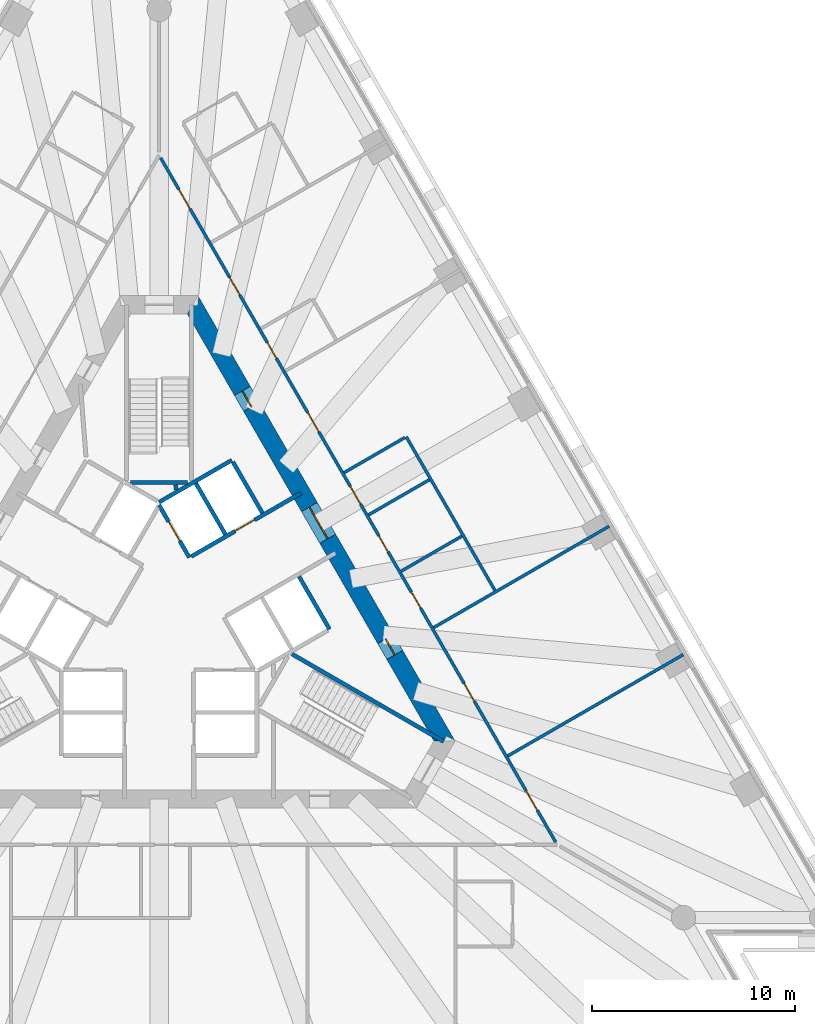
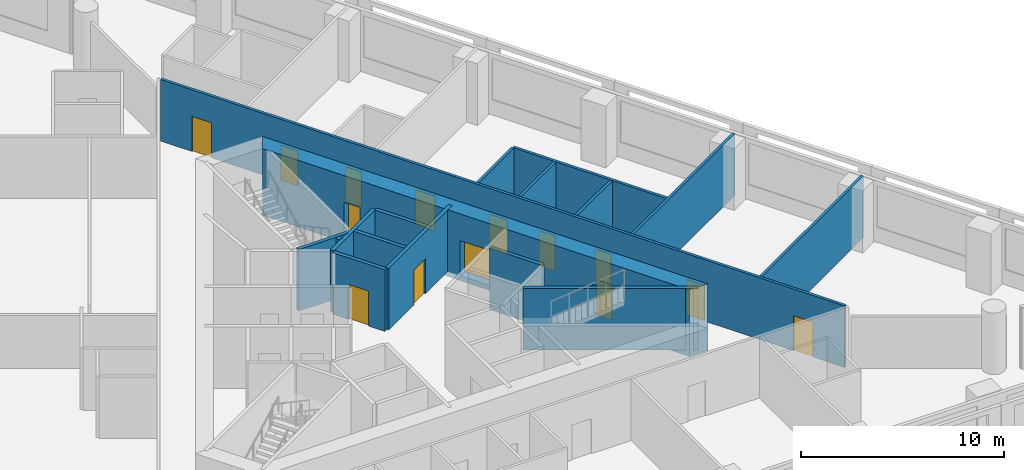
# One storey, part 6 of 11: 17 walls, 14 doors, 14 openings.
"""IFC4 building model written with IfcOpenShell, lengths in metres."""

from ifc_helpers import new_model, si_unit, direction, frame, frame_2d, origin, place, context, subcontext, project, spatial, polyline, rectangle, outline, extrude, material, layer, layer_set, type_object, element, fill, save


model = new_model("IFC4")

# Units and contexts
model_context = context("Model", 3, precision=1e-05, world=origin(), true_north=direction((0.0, 1.0)))
body_context = subcontext(model_context, "Body", "Model", "MODEL_VIEW")
ifc_project = project(units=[si_unit("LENGTHUNIT", "METRE"), si_unit("AREAUNIT", "SQUARE_METRE"), si_unit("VOLUMEUNIT", "CUBIC_METRE"), si_unit("PLANEANGLEUNIT", "RADIAN"), si_unit("MASSUNIT", "GRAM", prefix="KILO")], contexts=[model_context])

# Site, building, storey
site_placement = place(None, origin())
site = spatial("IfcSite", under=ifc_project, at=site_placement, CompositionType="ELEMENT")
building_placement = place(site_placement, origin())
building = spatial("IfcBuilding", under=site, at=building_placement, Name="Triada Interchange Tower", CompositionType="ELEMENT")
storey_placement = place(building_placement, frame((0.0, 0.0, 71.300048828125)))
storey = spatial("IfcBuildingStorey", under=building, at=storey_placement, Name="L15", CompositionType="ELEMENT", Elevation=71.300048828125)

# Wall
ifc_material_1 = material(Name="Concrete C30/37", Category="concrete")
ifc_layer_1 = layer(ifc_material_1, 0.199951171875)
ifc_layer_set_1 = layer_set([ifc_layer_1], Name="CORE WALL 200 EI 120")
wall_type_1 = type_object("IfcWallType", Name="CORE WALL 200 EI 120", PredefinedType="SOLIDWALL", material=ifc_layer_set_1)
wall_1_placement = place(storey_placement, frame((-0.001953125, 5.541015625, 0.0), z_axis=(0.0, 0.0, 1.0), x_axis=(0.86600155993, 0.500041296494, 0.0)))
element("IfcWall", 1, at=wall_1_placement, inside=storey, type_object=wall_type_1, Name="Wall L15 62", PredefinedType="SOLIDWALL", context=body_context, shape_type="SweptSolid", body=[
    extrude(rectangle(XDim=4.131591796875, YDim=0.199951171875, at=frame_2d((2.06591796875, 0.0))), origin(), (0.0, 0.0, 1.0), 3.699951171875),
])

# Wall, opening, door
wall_2_placement = place(storey_placement, frame((0.0, 5.39990234375, 0.0), z_axis=(0.0, 0.0, 1.0), x_axis=(0.500103862429, -0.865965430478, 0.0)))
wall_2 = element("IfcWall", 2, at=wall_2_placement, inside=storey, type_object=wall_type_1, Name="Wall L15 63", PredefinedType="SOLIDWALL", context=body_context, shape_type="SweptSolid", body=[
    extrude(rectangle(XDim=2.973388671875, YDim=0.199951171875, at=frame_2d((1.48681640625, 0.0))), origin(), (0.0, 0.0, 1.0), 3.699951171875),
])
opening_1_placement = place(wall_2_placement, frame((0.93701171875, 0.0, 0.0)))
opening_1 = element("IfcOpeningElement", 3, at=opening_1_placement, cuts=wall_2, Name="Opening LD-LR5", PredefinedType="OPENING", context=body_context, shape_type="SweptSolid", body=[
    extrude(rectangle(XDim=1.10009765625, YDim=2.10009765625, at=frame_2d((0.550048828125, 1.050048828125))), frame((0.0, 0.10986328125, 0.0), z_axis=(0.0, -1.0, 0.0), x_axis=(1.0, 0.0, 0.0)), (0.0, 0.0, 1.0), 0.219970703125),
])
ifc_material_2 = material(Name="Steel S235 door leaf", Category="steel")
door_type_1 = type_object("IfcDoorType", Name="LIFT LANDING DOOR 1100 EI 120", OperationType="SLIDING_TO_LEFT", PredefinedType="DOOR", material=ifc_material_2)
door_1_placement = place(opening_1_placement, origin())
door_1 = element("IfcDoor", 4, at=door_1_placement, inside=storey, type_object=door_type_1, Name="LR5 landing door L15", OperationType="SLIDING_TO_LEFT", OverallHeight=2.10009765625, OverallWidth=1.10009765625, PredefinedType="DOOR", context=body_context, shape_type="SweptSolid", body=[
    extrude(rectangle(XDim=1.10009765625, YDim=2.10009765625, at=frame_2d((0.550048828125, 1.050048828125))), frame((0.0, 0.02490234375, 0.0), z_axis=(0.0, -1.0, 0.0), x_axis=(1.0, 0.0, 0.0)), (0.0, 0.0, 1.0), 0.050048828125),
])
fill(opening_1, door_1)

wall_3_placement = place(storey_placement, frame((1.577880859375, 2.8740234375, 0.0), z_axis=(0.0, 0.0, 1.0), x_axis=(0.866031483044, 0.499989470266, 0.0)))
wall_3 = element("IfcWall", 5, at=wall_3_placement, inside=storey, type_object=wall_type_1, Name="Wall L15 65", PredefinedType="SOLIDWALL", context=body_context, shape_type="SweptSolid", body=[
    extrude(rectangle(XDim=6.226318359375, YDim=0.199951171875, at=frame_2d((3.11328125, 0.0))), origin(), (0.0, 0.0, 1.0), 3.699951171875),
])
opening_2_placement = place(wall_3_placement, frame((2.49609375, 0.0, 0.0)))
opening_2 = element("IfcOpeningElement", 6, at=opening_2_placement, cuts=wall_3, Name="Opening LD-LR6", PredefinedType="OPENING", context=body_context, shape_type="SweptSolid", body=[
    extrude(rectangle(XDim=1.10009765625, YDim=2.10009765625, at=frame_2d((0.550048828125, 1.050048828125))), frame((0.0, 0.10986328125, 0.0), z_axis=(0.0, -1.0, 0.0), x_axis=(1.0, 0.0, 0.0)), (0.0, 0.0, 1.0), 0.219970703125),
])
door_2_placement = place(opening_2_placement, origin())
door_2 = element("IfcDoor", 7, at=door_2_placement, inside=storey, type_object=door_type_1, Name="LR6 landing door L15", OperationType="SLIDING_TO_LEFT", OverallHeight=2.10009765625, OverallWidth=1.10009765625, PredefinedType="DOOR", context=body_context, shape_type="SweptSolid", body=[
    extrude(rectangle(XDim=1.10009765625, YDim=2.10009765625, at=frame_2d((0.550048828125, 1.050048828125))), frame((0.0, 0.02490234375, 0.0), z_axis=(0.0, -1.0, 0.0), x_axis=(1.0, 0.0, 0.0)), (0.0, 0.0, 1.0), 0.050048828125),
])
fill(opening_2, door_2)

# Walls
wall_4_placement = place(storey_placement, frame((3.6259765625, 7.52001953125, 0.0), z_axis=(0.0, 0.0, 1.0), x_axis=(0.500060147554, -0.865990674793, 0.0)))
element("IfcWall", 8, at=wall_4_placement, inside=storey, type_object=wall_type_1, Name="Wall L15 69", PredefinedType="SOLIDWALL", context=body_context, shape_type="SweptSolid", body=[
    extrude(rectangle(XDim=2.899658203125, YDim=0.199951171875, at=frame_2d((1.44970703125, 0.0))), origin(), (0.0, 0.0, 1.0), 3.699951171875),
])
wall_5_placement = place(storey_placement, frame((6.8759765625, 1.89111328125, 0.0), z_axis=(0.0, 0.0, 1.0), x_axis=(0.499990139034, -0.866031096941, 0.0)))
element("IfcWall", 9, at=wall_5_placement, inside=storey, type_object=wall_type_1, Name="Wall L15 70", PredefinedType="SOLIDWALL", context=body_context, shape_type="SweptSolid", body=[
    extrude(rectangle(XDim=3.0, YDim=0.199951171875, at=frame_2d((1.5, 0.0))), origin(), (0.0, 0.0, 1.0), 3.699951171875),
])
wall_6_placement = place(storey_placement, frame((1.806884765625, 6.469970703125, 0.0), z_axis=(0.0, 0.0, 1.0), x_axis=(0.50012328804, -0.865954211699, 0.0)))
element("IfcWall", 10, at=wall_6_placement, inside=storey, type_object=wall_type_1, Name="Wall L15 71", PredefinedType="SOLIDWALL", context=body_context, shape_type="SweptSolid", body=[
    extrude(rectangle(XDim=2.899658203125, YDim=0.199951171875, at=frame_2d((1.44970703125, 0.0))), origin(), (0.0, 0.0, 1.0), 3.699951171875),
])
ifc_layer_2 = layer(ifc_material_1, 0.199951171875)
ifc_layer_set_2 = layer_set([ifc_layer_2], Name="CORE WALL 200 EI 90")
wall_type_2 = type_object("IfcWallType", Name="CORE WALL 200 EI 90", PredefinedType="SOLIDWALL", material=ifc_layer_set_2)
wall_7_placement = place(storey_placement, frame((0.81103515625, 6.39990234375, 0.0), z_axis=(0.0, 0.0, 1.0), x_axis=(0.076199063602, -0.997092624938, 0.0)))
element("IfcWall", 11, at=wall_7_placement, inside=storey, type_object=wall_type_2, Name="Wall L15 90", PredefinedType="SOLIDWALL", context=body_context, shape_type="SweptSolid", body=[
    extrude(rectangle(XDim=0.2626953125, YDim=0.199951171875, at=frame_2d((0.13134765625, 0.0))), origin(), (0.0, 0.0, 1.0), 3.699951171875),
])
ifc_layer_3 = layer(ifc_material_1, 0.199951171875)
ifc_layer_set_3 = layer_set([ifc_layer_3], Name="CORE WALL 200 REI 240")
wall_type_3 = type_object("IfcWallType", Name="CORE WALL 200 REI 240", PredefinedType="SOLIDWALL", material=ifc_layer_set_3)
wall_8_placement = place(storey_placement, frame((-1.39990234375, 6.5, 0.0), z_axis=(0.0, 0.0, 1.0), x_axis=(1.0, 0.0, 0.0)))
element("IfcWall", 12, at=wall_8_placement, inside=storey, type_object=wall_type_3, Name="Wall L15 97", PredefinedType="SOLIDWALL", context=body_context, shape_type="SweptSolid", body=[
    extrude(rectangle(XDim=2.7998046875, YDim=0.199951171875, at=frame_2d((1.39990234375, 0.0))), origin(), (0.0, 0.0, 1.0), 3.699951171875),
])
wall_9_placement = place(storey_placement, frame((6.529052734375, -1.922119140625, 0.0), z_axis=(0.0, 0.0, 1.0), x_axis=(0.866060059011, -0.499939970583, 0.0)))
element("IfcWall", 13, at=wall_9_placement, inside=storey, type_object=wall_type_3, Name="Wall L15 101", PredefinedType="SOLIDWALL", context=body_context, shape_type="SweptSolid", body=[
    extrude(rectangle(XDim=8.61474609375, YDim=0.199951171875, at=frame_2d((4.307373046875, 0.0))), origin(), (0.0, 0.0, 1.0), 3.699951171875),
])

# Wall, openings, doors
ifc_material_3 = material(Name="Concrete C70/85", Category="concrete")
ifc_layer_4 = layer(ifc_material_3, 0.89990234375)
ifc_layer_set_4 = layer_set([ifc_layer_4], Name="Core wall A 900")
wall_type_4 = type_object("IfcWallType", Name="Core wall A 900", PredefinedType="SHEAR", material=ifc_layer_set_4)
wall_10_placement = place(storey_placement, frame((14.030029296875, -6.199951171875, -0.300048828125), z_axis=(0.0, 0.0, 1.0), x_axis=(-0.500026485275, 0.866010111964, 0.0)))
wall_10 = element("IfcWall", 14, at=wall_10_placement, inside=storey, type_object=wall_type_4, Name="Core wall WA06 L15", PredefinedType="SHEAR", context=body_context, shape_type="SweptSolid", body=[
    extrude(outline(polyline([(-0.260009765625, -0.448974609375), (1.685302734375, -0.448974609375), (3.63037109375, -0.44921875), (5.57568359375, -0.44921875), (7.52099609375, -0.44921875), (9.466064453125, -0.449462890625), (11.411376953125, -0.449462890625), (13.356689453125, -0.449462890625), (15.302001953125, -0.449462890625), (17.2470703125, -0.44970703125), (19.1923828125, -0.44970703125), (21.1376953125, -0.44970703125), (23.082763671875, -0.449951171875), (25.028076171875, -0.449951171875), (24.509033203125, 0.448974609375), (22.643798828125, 0.448974609375), (20.7783203125, 0.44921875), (18.9130859375, 0.44921875), (17.0478515625, 0.44921875), (15.182373046875, 0.449462890625), (13.317138671875, 0.449462890625), (11.451904296875, 0.449462890625), (9.586669921875, 0.449462890625), (7.72119140625, 0.44970703125), (5.85595703125, 0.44970703125), (3.99072265625, 0.44970703125), (2.125244140625, 0.449951171875), (0.260009765625, 0.449951171875), (-0.260009765625, -0.448974609375)])), origin(), (0.0, 0.0, 1.0), 4.0),
])
opening_3_placement = place(wall_10_placement, frame((11.48388671875, 0.0, 0.300048828125)))
opening_3 = element("IfcOpeningElement", 15, at=opening_3_placement, cuts=wall_10, Name="Opening D15-43", PredefinedType="OPENING", context=body_context, shape_type="SweptSolid", body=[
    extrude(rectangle(XDim=1.800048828125, YDim=2.10009765625, at=frame_2d((0.89990234375, 1.050048828125))), frame((0.0, 0.4599609375, 0.0), z_axis=(0.0, -1.0, 0.0), x_axis=(1.0, 0.0, 0.0)), (0.0, 0.0, 1.0), 0.919921875),
])
opening_4_placement = place(wall_10_placement, frame((4.89208984375, 0.0, 0.300048828125)))
opening_4 = element("IfcOpeningElement", 16, at=opening_4_placement, cuts=wall_10, Name="Opening D15-50", PredefinedType="OPENING", context=body_context, shape_type="SweptSolid", body=[
    extrude(rectangle(XDim=0.89990234375, YDim=2.10009765625, at=frame_2d((0.449951171875, 1.050048828125))), frame((0.0, 0.4599609375, 0.0), z_axis=(0.0, -1.0, 0.0), x_axis=(1.0, 0.0, 0.0)), (0.0, 0.0, 1.0), 0.919921875),
])
opening_5_placement = place(wall_10_placement, frame((18.97607421875, 0.0, 0.300048828125)))
opening_5 = element("IfcOpeningElement", 17, at=opening_5_placement, cuts=wall_10, Name="Opening D15-53", PredefinedType="OPENING", context=body_context, shape_type="SweptSolid", body=[
    extrude(rectangle(XDim=0.89990234375, YDim=2.10009765625, at=frame_2d((0.449951171875, 1.050048828125))), frame((0.0, 0.4599609375, 0.0), z_axis=(0.0, -1.0, 0.0), x_axis=(1.0, 0.0, 0.0)), (0.0, 0.0, 1.0), 0.919921875),
])
door_type_2 = type_object("IfcDoorType", Name="LOBBY DOOR 1800 EI2 90-C5S200", OperationType="DOUBLE_DOOR_SINGLE_SWING", PredefinedType="DOOR", material=ifc_material_2)
door_3_placement = place(opening_3_placement, origin())
door_3 = element("IfcDoor", 18, at=door_3_placement, inside=storey, type_object=door_type_2, Name="Door D15-43 L15", OperationType="DOUBLE_DOOR_SINGLE_SWING", OverallHeight=2.10009765625, OverallWidth=1.800048828125, PredefinedType="DOOR", context=body_context, shape_type="SweptSolid", body=[
    extrude(rectangle(XDim=1.800048828125, YDim=2.10009765625, at=frame_2d((0.89990234375, 1.050048828125))), frame((0.0, 0.02490234375, 0.0), z_axis=(0.0, -1.0, 0.0), x_axis=(1.0, 0.0, 0.0)), (0.0, 0.0, 1.0), 0.050048828125),
])
fill(opening_3, door_3)
door_type_3 = type_object("IfcDoorType", Name="SERVICE DOOR 900 EI2 45-C5S200", OperationType="NOTDEFINED", PredefinedType="DOOR", material=ifc_material_2)
door_4_placement = place(opening_4_placement, origin())
door_4 = element("IfcDoor", 19, at=door_4_placement, inside=storey, type_object=door_type_3, Name="Door D15-50 L15", OperationType="SINGLE_SWING_LEFT", OverallHeight=2.10009765625, OverallWidth=0.89990234375, PredefinedType="DOOR", context=body_context, shape_type="SweptSolid", body=[
    extrude(rectangle(XDim=0.89990234375, YDim=2.10009765625, at=frame_2d((0.449951171875, 1.050048828125))), frame((0.0, 0.02490234375, 0.0), z_axis=(0.0, -1.0, 0.0), x_axis=(1.0, 0.0, 0.0)), (0.0, 0.0, 1.0), 0.050048828125),
])
fill(opening_4, door_4)
door_5_placement = place(opening_5_placement, origin())
door_5 = element("IfcDoor", 20, at=door_5_placement, inside=storey, type_object=door_type_3, Name="Door D15-53 L15", OperationType="SINGLE_SWING_LEFT", OverallHeight=2.10009765625, OverallWidth=0.89990234375, PredefinedType="DOOR", context=body_context, shape_type="SweptSolid", body=[
    extrude(rectangle(XDim=0.89990234375, YDim=2.10009765625, at=frame_2d((0.449951171875, 1.050048828125))), frame((0.0, 0.02490234375, 0.0), z_axis=(0.0, -1.0, 0.0), x_axis=(1.0, 0.0, 0.0)), (0.0, 0.0, 1.0), 0.050048828125),
])
fill(opening_5, door_5)

ifc_material_4 = material(Name="Gypsum board partition")
ifc_layer_5 = layer(ifc_material_4, 0.14990234375)
ifc_layer_set_5 = layer_set([ifc_layer_5], Name="PARTITION 150 EI 180")
wall_type_5 = type_object("IfcWallType", Name="PARTITION 150 EI 180", PredefinedType="PARTITIONING", material=ifc_layer_set_5)
wall_11_placement = place(storey_placement, frame((0.074951171875, 22.469970703125, 0.0), z_axis=(0.0, 0.0, 1.0), x_axis=(0.500002280369, -0.866024087209, 0.0)))
wall_11 = element("IfcWall", 21, at=wall_11_placement, inside=storey, type_object=wall_type_5, Name="Wall L15 21", PredefinedType="PARTITIONING", context=body_context, shape_type="SweptSolid", body=[
    extrude(rectangle(XDim=38.843994140625, YDim=0.14990234375, at=frame_2d((19.421875, 0.0))), origin(), (0.0, 0.0, 1.0), 3.699951171875),
])
opening_6_placement = place(wall_11_placement, frame((35.944091796875, 0.0, 0.0)))
opening_6 = element("IfcOpeningElement", 22, at=opening_6_placement, cuts=wall_11, Name="Opening D15-23", PredefinedType="OPENING", context=body_context, shape_type="SweptSolid", body=[
    extrude(rectangle(XDim=1.10009765625, YDim=2.10009765625, at=frame_2d((0.550048828125, 1.050048828125))), frame((0.0, 0.0849609375, 0.0), z_axis=(0.0, -1.0, 0.0), x_axis=(1.0, 0.0, 0.0)), (0.0, 0.0, 1.0), 0.169921875),
])
opening_7_placement = place(wall_11_placement, frame((29.847900390625, 0.0, 0.0)))
opening_7 = element("IfcOpeningElement", 23, at=opening_7_placement, cuts=wall_11, Name="Opening D15-24", PredefinedType="OPENING", context=body_context, shape_type="SweptSolid", body=[
    extrude(rectangle(XDim=1.0, YDim=2.10009765625, at=frame_2d((0.5, 1.050048828125))), frame((0.0, 0.0849609375, 0.0), z_axis=(0.0, -1.0, 0.0), x_axis=(1.0, 0.0, 0.0)), (0.0, 0.0, 1.0), 0.169921875),
])
opening_8_placement = place(wall_11_placement, frame((14.4599609375, 0.0, 0.0)))
opening_8 = element("IfcOpeningElement", 24, at=opening_8_placement, cuts=wall_11, Name="Opening D15-25", PredefinedType="OPENING", context=body_context, shape_type="SweptSolid", body=[
    extrude(rectangle(XDim=1.10009765625, YDim=2.10009765625, at=frame_2d((0.550048828125, 1.050048828125))), frame((0.0, 0.0849609375, 0.0), z_axis=(0.0, -1.0, 0.0), x_axis=(1.0, 0.0, 0.0)), (0.0, 0.0, 1.0), 0.169921875),
])
opening_9_placement = place(wall_11_placement, frame((24.659912109375, 0.0, 0.0)))
opening_9 = element("IfcOpeningElement", 25, at=opening_9_placement, cuts=wall_11, Name="Opening D15-26", PredefinedType="OPENING", context=body_context, shape_type="SweptSolid", body=[
    extrude(rectangle(XDim=0.89990234375, YDim=2.10009765625, at=frame_2d((0.449951171875, 1.050048828125))), frame((0.0, 0.0849609375, 0.0), z_axis=(0.0, -1.0, 0.0), x_axis=(1.0, 0.0, 0.0)), (0.0, 0.0, 1.0), 0.169921875),
])
opening_10_placement = place(wall_11_placement, frame((21.4599609375, 0.0, 0.0)))
opening_10 = element("IfcOpeningElement", 26, at=opening_10_placement, cuts=wall_11, Name="Opening D15-27", PredefinedType="OPENING", context=body_context, shape_type="SweptSolid", body=[
    extrude(rectangle(XDim=0.89990234375, YDim=2.10009765625, at=frame_2d((0.449951171875, 1.050048828125))), frame((0.0, 0.0849609375, 0.0), z_axis=(0.0, -1.0, 0.0), x_axis=(1.0, 0.0, 0.0)), (0.0, 0.0, 1.0), 0.169921875),
])
opening_11_placement = place(wall_11_placement, frame((18.659912109375, 0.0, 0.0)))
opening_11 = element("IfcOpeningElement", 27, at=opening_11_placement, cuts=wall_11, Name="Opening D15-28", PredefinedType="OPENING", context=body_context, shape_type="SweptSolid", body=[
    extrude(rectangle(XDim=1.0, YDim=2.10009765625, at=frame_2d((0.5, 1.050048828125))), frame((0.0, 0.0849609375, 0.0), z_axis=(0.0, -1.0, 0.0), x_axis=(1.0, 0.0, 0.0)), (0.0, 0.0, 1.0), 0.169921875),
])
opening_12_placement = place(wall_11_placement, frame((6.784912109375, 0.0, 0.0)))
opening_12 = element("IfcOpeningElement", 28, at=opening_12_placement, cuts=wall_11, Name="Opening D15-29", PredefinedType="OPENING", context=body_context, shape_type="SweptSolid", body=[
    extrude(rectangle(XDim=1.0, YDim=2.10009765625, at=frame_2d((0.5, 1.050048828125))), frame((0.0, 0.0849609375, 0.0), z_axis=(0.0, -1.0, 0.0), x_axis=(1.0, 0.0, 0.0)), (0.0, 0.0, 1.0), 0.169921875),
])
opening_13_placement = place(wall_11_placement, frame((10.485107421875, 0.0, 0.0)))
opening_13 = element("IfcOpeningElement", 29, at=opening_13_placement, cuts=wall_11, Name="Opening D15-30", PredefinedType="OPENING", context=body_context, shape_type="SweptSolid", body=[
    extrude(rectangle(XDim=0.89990234375, YDim=2.10009765625, at=frame_2d((0.449951171875, 1.050048828125))), frame((0.0, 0.0849609375, 0.0), z_axis=(0.0, -1.0, 0.0), x_axis=(1.0, 0.0, 0.0)), (0.0, 0.0, 1.0), 0.169921875),
])
opening_14_placement = place(wall_11_placement, frame((1.7958984375, 0.0, 0.0)))
opening_14 = element("IfcOpeningElement", 30, at=opening_14_placement, cuts=wall_11, Name="Opening D15-31", PredefinedType="OPENING", context=body_context, shape_type="SweptSolid", body=[
    extrude(rectangle(XDim=1.10009765625, YDim=2.10009765625, at=frame_2d((0.550048828125, 1.050048828125))), frame((0.0, 0.0849609375, 0.0), z_axis=(0.0, -1.0, 0.0), x_axis=(1.0, 0.0, 0.0)), (0.0, 0.0, 1.0), 0.169921875),
])
door_type_4 = type_object("IfcDoorType", Name="ROOM DOOR 1000 EI2 90-C5S200", OperationType="NOTDEFINED", PredefinedType="DOOR", material=ifc_material_2)
door_6_placement = place(opening_7_placement, origin())
door_6 = element("IfcDoor", 31, at=door_6_placement, inside=storey, type_object=door_type_4, Name="Door D15-24 L15", OperationType="SINGLE_SWING_RIGHT", OverallHeight=2.10009765625, OverallWidth=1.0, PredefinedType="DOOR", context=body_context, shape_type="SweptSolid", body=[
    extrude(rectangle(XDim=1.0, YDim=2.10009765625, at=frame_2d((0.5, 1.050048828125))), frame((0.0, 0.02490234375, 0.0), z_axis=(0.0, -1.0, 0.0), x_axis=(1.0, 0.0, 0.0)), (0.0, 0.0, 1.0), 0.050048828125),
])
fill(opening_7, door_6)
door_7_placement = place(opening_11_placement, origin())
door_7 = element("IfcDoor", 32, at=door_7_placement, inside=storey, type_object=door_type_4, Name="Door D15-28 L15", OperationType="SINGLE_SWING_LEFT", OverallHeight=2.10009765625, OverallWidth=1.0, PredefinedType="DOOR", context=body_context, shape_type="SweptSolid", body=[
    extrude(rectangle(XDim=1.0, YDim=2.10009765625, at=frame_2d((0.5, 1.050048828125))), frame((0.0, 0.02490234375, 0.0), z_axis=(0.0, -1.0, 0.0), x_axis=(1.0, 0.0, 0.0)), (0.0, 0.0, 1.0), 0.050048828125),
])
fill(opening_11, door_7)
door_8_placement = place(opening_12_placement, origin())
door_8 = element("IfcDoor", 33, at=door_8_placement, inside=storey, type_object=door_type_4, Name="Door D15-29 L15", OperationType="SINGLE_SWING_RIGHT", OverallHeight=2.10009765625, OverallWidth=1.0, PredefinedType="DOOR", context=body_context, shape_type="SweptSolid", body=[
    extrude(rectangle(XDim=1.0, YDim=2.10009765625, at=frame_2d((0.5, 1.050048828125))), frame((0.0, 0.02490234375, 0.0), z_axis=(0.0, -1.0, 0.0), x_axis=(1.0, 0.0, 0.0)), (0.0, 0.0, 1.0), 0.050048828125),
])
fill(opening_12, door_8)
door_type_5 = type_object("IfcDoorType", Name="ROOM DOOR 900 EI2 90-C5S200", OperationType="NOTDEFINED", PredefinedType="DOOR", material=ifc_material_2)
door_9_placement = place(opening_9_placement, origin())
door_9 = element("IfcDoor", 34, at=door_9_placement, inside=storey, type_object=door_type_5, Name="Door D15-26 L15", OperationType="SINGLE_SWING_LEFT", OverallHeight=2.10009765625, OverallWidth=0.89990234375, PredefinedType="DOOR", context=body_context, shape_type="SweptSolid", body=[
    extrude(rectangle(XDim=0.89990234375, YDim=2.10009765625, at=frame_2d((0.449951171875, 1.050048828125))), frame((0.0, 0.02490234375, 0.0), z_axis=(0.0, -1.0, 0.0), x_axis=(1.0, 0.0, 0.0)), (0.0, 0.0, 1.0), 0.050048828125),
])
fill(opening_9, door_9)
door_10_placement = place(opening_10_placement, origin())
door_10 = element("IfcDoor", 35, at=door_10_placement, inside=storey, type_object=door_type_5, Name="Door D15-27 L15", OperationType="SINGLE_SWING_LEFT", OverallHeight=2.10009765625, OverallWidth=0.89990234375, PredefinedType="DOOR", context=body_context, shape_type="SweptSolid", body=[
    extrude(rectangle(XDim=0.89990234375, YDim=2.10009765625, at=frame_2d((0.449951171875, 1.050048828125))), frame((0.0, 0.02490234375, 0.0), z_axis=(0.0, -1.0, 0.0), x_axis=(1.0, 0.0, 0.0)), (0.0, 0.0, 1.0), 0.050048828125),
])
fill(opening_10, door_10)
door_type_6 = type_object("IfcDoorType", Name="SERVICE DOOR 900 EI2 90-C5S200", OperationType="NOTDEFINED", PredefinedType="DOOR", material=ifc_material_2)
door_11_placement = place(opening_13_placement, origin())
door_11 = element("IfcDoor", 36, at=door_11_placement, inside=storey, type_object=door_type_6, Name="Door D15-30 L15", OperationType="SINGLE_SWING_LEFT", OverallHeight=2.10009765625, OverallWidth=0.89990234375, PredefinedType="DOOR", context=body_context, shape_type="SweptSolid", body=[
    extrude(rectangle(XDim=0.89990234375, YDim=2.10009765625, at=frame_2d((0.449951171875, 1.050048828125))), frame((0.0, 0.02490234375, 0.0), z_axis=(0.0, -1.0, 0.0), x_axis=(1.0, 0.0, 0.0)), (0.0, 0.0, 1.0), 0.050048828125),
])
fill(opening_13, door_11)
door_type_7 = type_object("IfcDoorType", Name="TENANCY ENTRANCE DOOR 1100 EI2 90-C5S200", OperationType="NOTDEFINED", PredefinedType="DOOR", material=ifc_material_2)
door_12_placement = place(opening_6_placement, origin())
door_12 = element("IfcDoor", 37, at=door_12_placement, inside=storey, type_object=door_type_7, Name="Door D15-23 L15", OperationType="SINGLE_SWING_RIGHT", OverallHeight=2.10009765625, OverallWidth=1.10009765625, PredefinedType="DOOR", context=body_context, shape_type="SweptSolid", body=[
    extrude(rectangle(XDim=1.10009765625, YDim=2.10009765625, at=frame_2d((0.550048828125, 1.050048828125))), frame((0.0, 0.02490234375, 0.0), z_axis=(0.0, -1.0, 0.0), x_axis=(1.0, 0.0, 0.0)), (0.0, 0.0, 1.0), 0.050048828125),
])
fill(opening_6, door_12)
door_13_placement = place(opening_8_placement, origin())
door_13 = element("IfcDoor", 38, at=door_13_placement, inside=storey, type_object=door_type_7, Name="Door D15-25 L15", OperationType="SINGLE_SWING_RIGHT", OverallHeight=2.10009765625, OverallWidth=1.10009765625, PredefinedType="DOOR", context=body_context, shape_type="SweptSolid", body=[
    extrude(rectangle(XDim=1.10009765625, YDim=2.10009765625, at=frame_2d((0.550048828125, 1.050048828125))), frame((0.0, 0.02490234375, 0.0), z_axis=(0.0, -1.0, 0.0), x_axis=(1.0, 0.0, 0.0)), (0.0, 0.0, 1.0), 0.050048828125),
])
fill(opening_8, door_13)
door_14_placement = place(opening_14_placement, origin())
door_14 = element("IfcDoor", 39, at=door_14_placement, inside=storey, type_object=door_type_7, Name="Door D15-31 L15", OperationType="SINGLE_SWING_LEFT", OverallHeight=2.10009765625, OverallWidth=1.10009765625, PredefinedType="DOOR", context=body_context, shape_type="SweptSolid", body=[
    extrude(rectangle(XDim=1.10009765625, YDim=2.10009765625, at=frame_2d((0.550048828125, 1.050048828125))), frame((0.0, 0.02490234375, 0.0), z_axis=(0.0, -1.0, 0.0), x_axis=(1.0, 0.0, 0.0)), (0.0, 0.0, 1.0), 0.050048828125),
])
fill(opening_14, door_14)

# Walls
wall_12_placement = place(storey_placement, frame((12.14794921875, 8.760009765625, 0.0), z_axis=(0.0, 0.0, 1.0), x_axis=(0.499970334739, -0.866042530354, 0.0)))
element("IfcWall", 40, at=wall_12_placement, inside=storey, type_object=wall_type_5, Name="Wall L15 27", PredefinedType="PARTITIONING", context=body_context, shape_type="SweptSolid", body=[
    extrude(rectangle(XDim=8.724609375, YDim=0.14990234375, at=frame_2d((4.3623046875, 0.0))), origin(), (0.0, 0.0, 1.0), 3.699951171875),
])
for number, where, z_axis, x_axis, name in (
    (41, (9.094970703125, 6.9970703125, 0.0), (0.0, 0.0, 1.0), (0.866061862632, 0.499936846106, 0.0), "Wall L15 28"),
    (42, (10.294921875, 4.9189453125, 0.0), (0.0, 0.0, 1.0), (0.866031223622, 0.49998991961, 0.0), "Wall L15 29"),
    (43, (11.89501953125, 2.14794921875, 0.0), (0.0, 0.0, 1.0), (0.866031223622, 0.49998991961, 0.0), "Wall L15 30"),
):
    element("IfcWall", number, at=place(storey_placement, frame(where, z_axis=z_axis, x_axis=x_axis)), inside=storey, type_object=wall_type_5, Name=name, PredefinedType="PARTITIONING", context=body_context, shape_type="SweptSolid", body=[
        extrude(rectangle(XDim=3.4501953125, YDim=0.14990234375, at=frame_2d((1.72509765625, 0.0))), origin(), (0.0, 0.0, 1.0), 3.699951171875),
    ])
wall_13_placement = place(storey_placement, frame((13.4951171875, -0.6240234375, 0.0), z_axis=(0.0, 0.0, 1.0), x_axis=(0.866002028202, 0.500040485511, 0.0)))
element("IfcWall", 44, at=wall_13_placement, inside=storey, type_object=wall_type_5, Name="Wall L15 31", PredefinedType="PARTITIONING", context=body_context, shape_type="SweptSolid", body=[
    extrude(rectangle(XDim=9.967529296875, YDim=0.14990234375, at=frame_2d((4.98388671875, 0.0))), origin(), (0.0, 0.0, 1.0), 3.699951171875),
])
wall_14_placement = place(storey_placement, frame((17.138916015625, -6.93603515625, 0.0), z_axis=(0.0, 0.0, 1.0), x_axis=(0.866008152443, 0.500029879009, 0.0)))
element("IfcWall", 45, at=wall_14_placement, inside=storey, type_object=wall_type_5, Name="Wall L15 33", PredefinedType="PARTITIONING", context=body_context, shape_type="SweptSolid", body=[
    extrude(rectangle(XDim=9.9677734375, YDim=0.14990234375, at=frame_2d((4.98388671875, 0.0))), origin(), (0.0, 0.0, 1.0), 3.699951171875),
])

save(model, "model.ifc")
